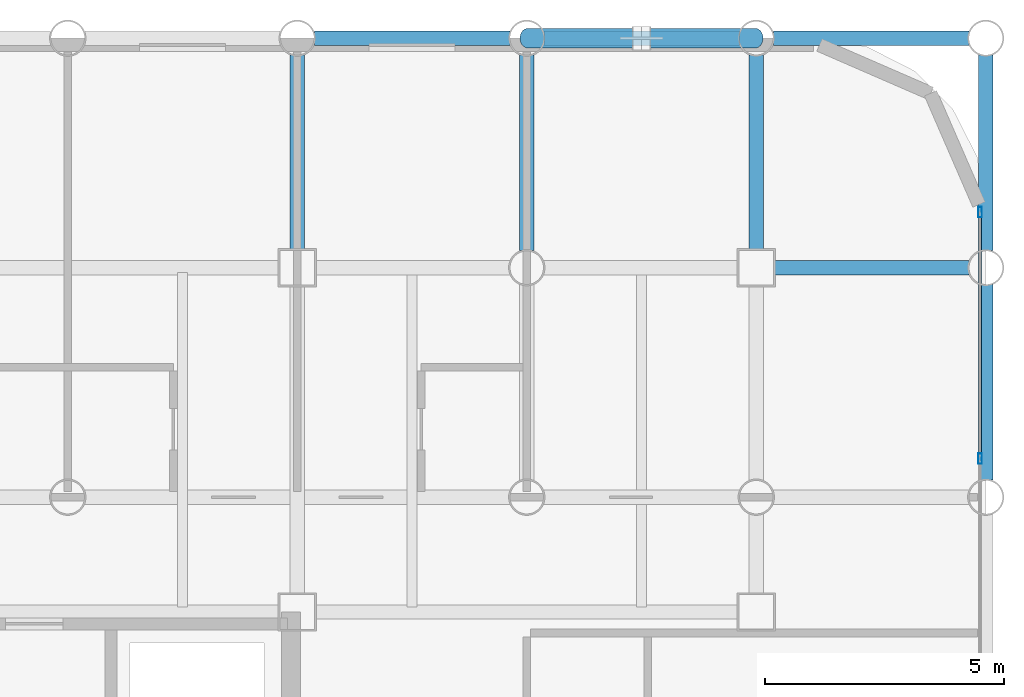
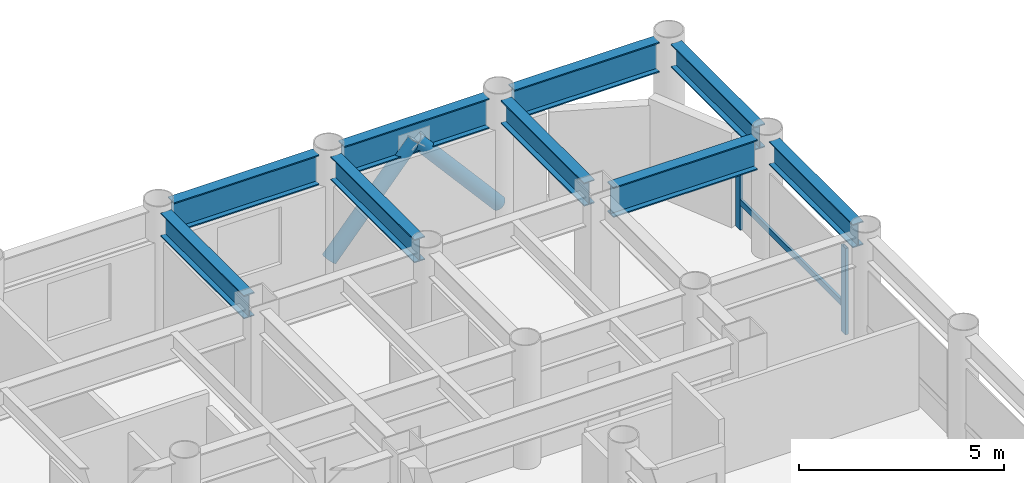
# One storey, part 14 of 22: 9 beams, 5 members, 1 element without a shape of its own.
"""IFC4 building model written with IfcOpenShell, lengths in metres."""

from ifc_helpers import new_model, si_unit, direction, frame, origin, origin_2d, place, context, subcontext, project, spatial, hollow_rectangle, hollow_circle, i_section, extrude, material, layer, layer_set, material_profile, profile_set, type_object, element, aggregate, save


model = new_model("IFC4")

# Units and contexts
model_context = context("Model", 3, precision=1e-05, world=origin(), true_north=direction((0.0, 1.0)))
body_context = subcontext(model_context, "Body", "Model", "MODEL_VIEW")
ifc_project = project(units=[si_unit("LENGTHUNIT", "METRE"), si_unit("AREAUNIT", "SQUARE_METRE"), si_unit("VOLUMEUNIT", "CUBIC_METRE"), si_unit("PLANEANGLEUNIT", "RADIAN"), si_unit("MASSUNIT", "GRAM", prefix="KILO")], contexts=[model_context])

# Site, building, storey
site_placement = place(None, origin())
site = spatial("IfcSite", under=ifc_project, at=site_placement, CompositionType="ELEMENT")
building_placement = place(site_placement, origin())
building = spatial("IfcBuilding", under=site, at=building_placement, Name="Kallvorn Hotel Tower", CompositionType="ELEMENT")
storey_placement = place(building_placement, frame((0.0, 0.0, 33.699951171875)))
storey = spatial("IfcBuildingStorey", under=building, at=storey_placement, Name="L06", CompositionType="ELEMENT", Elevation=33.699951171875)

# Beams
ifc_material_1 = material(Name="Structural steel S355JR", Category="steel")
ifc_material_profile_1 = material_profile(ifc_material_1, i_section(OverallWidth=0.300048828125, OverallDepth=0.699951171875, WebThickness=0.01708984375, FlangeThickness=0.031982421875, at=origin_2d()), Name="HE 700 B")
ifc_profile_set_1 = profile_set([ifc_material_profile_1], Name="Structural steel S355JR")
beam_type_1 = type_object("IfcBeamType", Name="BM_HE700B", PredefinedType="BEAM", material=ifc_profile_set_1)
beam_1_placement = place(storey_placement, frame((14.39990234375, 14.77490234375, 3.170166015625), z_axis=(0.0, 1.0, 0.0), x_axis=(-1.0, 0.0, 0.0)))
element("IfcBeam", 1, at=beam_1_placement, inside=storey, type_object=beam_type_1, Name="L07 Primary Y-Girder 126", PredefinedType="BEAM", context=body_context, shape_type="SweptSolid", body=[
    extrude(i_section(OverallWidth=0.300048828125, OverallDepth=0.699951171875, WebThickness=0.01708984375, FlangeThickness=0.031982421875, at=origin_2d()), origin(), (0.0, 0.0, 1.0), 4.069091796875),
])
beam_2_placement = place(storey_placement, frame((19.199951171875, 14.756103515625, 3.170166015625), z_axis=(0.0, 1.0, 0.0), x_axis=(-1.0, 0.0, 0.0)))
element("IfcBeam", 2, at=beam_2_placement, inside=storey, type_object=beam_type_1, Name="L07 Primary Y-Girder 135", PredefinedType="BEAM", context=body_context, shape_type="SweptSolid", body=[
    extrude(i_section(OverallWidth=0.300048828125, OverallDepth=0.699951171875, WebThickness=0.01708984375, FlangeThickness=0.031982421875, at=origin_2d()), origin(), (0.0, 0.0, 1.0), 4.087890625),
])
beam_3_placement = place(storey_placement, frame((24.0, 14.77490234375, 3.170166015625), z_axis=(0.0, 1.0, 0.0), x_axis=(-1.0, 0.0, 0.0)))
element("IfcBeam", 3, at=beam_3_placement, inside=storey, type_object=beam_type_1, Name="L07 Primary Y-Girder 142", PredefinedType="BEAM", context=body_context, shape_type="SweptSolid", body=[
    extrude(i_section(OverallWidth=0.300048828125, OverallDepth=0.699951171875, WebThickness=0.01708984375, FlangeThickness=0.031982421875, at=origin_2d()), origin(), (0.0, 0.0, 1.0), 4.069091796875),
])
for number, where, z_axis, x_axis, name in (
    (4, (28.800048828125, 9.9560546875, 3.170166015625), (0.0, 1.0, 0.0), (-1.0, 0.0, 0.0), "L07 Primary Y-Girder 149"),
    (5, (28.800048828125, 14.756103515625, 3.170166015625), (0.0, 1.0, 0.0), (-1.0, 0.0, 0.0), "L07 Primary Y-Girder 150"),
):
    element("IfcBeam", number, at=place(storey_placement, frame(where, z_axis=z_axis, x_axis=x_axis)), inside=storey, type_object=beam_type_1, Name=name, PredefinedType="BEAM", context=body_context, shape_type="SweptSolid", body=[
        extrude(i_section(OverallWidth=0.300048828125, OverallDepth=0.699951171875, WebThickness=0.01708984375, FlangeThickness=0.031982421875, at=origin_2d()), origin(), (0.0, 0.0, 1.0), 4.087890625),
    ])
ifc_material_2 = material(Name="Structural steel S355JR", Category="steel")
ifc_material_profile_2 = material_profile(ifc_material_2, i_section(OverallWidth=0.300048828125, OverallDepth=0.89990234375, WebThickness=0.0185546875, FlangeThickness=0.034912109375, at=origin_2d()), Name="HE 900 B")
ifc_profile_set_2 = profile_set([ifc_material_profile_2], Name="Structural steel S355JR")
beam_type_2 = type_object("IfcBeamType", Name="BM_HE900B", PredefinedType="BEAM", material=ifc_profile_set_2)
beam_4_placement = place(storey_placement, frame((24.375, 14.39990234375, 3.070068359375), z_axis=(1.0, 0.0, 0.0), x_axis=(0.0, 1.0, 0.0)))
element("IfcBeam", 6, at=beam_4_placement, inside=storey, type_object=beam_type_2, Name="L07 Primary X-Girder 60", PredefinedType="BEAM", context=body_context, shape_type="SweptSolid", body=[
    extrude(i_section(OverallWidth=0.300048828125, OverallDepth=0.89990234375, WebThickness=0.0185546875, FlangeThickness=0.034912109375, at=origin_2d()), origin(), (0.0, 0.0, 1.0), 4.069091796875),
])
beam_5_placement = place(storey_placement, frame((14.756103515625, 19.199951171875, 3.070068359375), z_axis=(1.0, 0.0, 0.0), x_axis=(0.0, 1.0, 0.0)))
element("IfcBeam", 7, at=beam_5_placement, inside=storey, type_object=beam_type_2, Name="L07 Primary X-Girder 70", PredefinedType="BEAM", context=body_context, shape_type="SweptSolid", body=[
    extrude(i_section(OverallWidth=0.300048828125, OverallDepth=0.89990234375, WebThickness=0.0185546875, FlangeThickness=0.034912109375, at=origin_2d()), origin(), (0.0, 0.0, 1.0), 4.087890625),
])
for number, where, z_axis, x_axis, name in (
    (8, (19.555908203125, 19.199951171875, 3.070068359375), (1.0, 0.0, 0.0), (0.0, 1.0, 0.0), "L07 Primary X-Girder 71"),
    (9, (24.35595703125, 19.199951171875, 3.070068359375), (1.0, 0.0, 0.0), (0.0, 1.0, 0.0), "L07 Primary X-Girder 72"),
):
    element("IfcBeam", number, at=place(storey_placement, frame(where, z_axis=z_axis, x_axis=x_axis)), inside=storey, type_object=beam_type_2, Name=name, PredefinedType="BEAM", context=body_context, shape_type="SweptSolid", body=[
        extrude(i_section(OverallWidth=0.300048828125, OverallDepth=0.89990234375, WebThickness=0.0185546875, FlangeThickness=0.034912109375, at=origin_2d()), origin(), (0.0, 0.0, 1.0), 4.088134765625),
    ])

# Curtain wall, members
ifc_material_3 = material(Name="Thermally broken black-anodised aluminium AA 6063-T6", Category="aluminium")
ifc_layer = layer(ifc_material_3, 0.199951171875)
ifc_layer_set = layer_set([ifc_layer], Name="CW_SYS_3_HOTEL_LOW")
curtain_wall_type = type_object("IfcCurtainWallType", Name="CW_SYS_3_HOTEL_LOW", PredefinedType="USERDEFINED", material=ifc_layer_set)
curtain_wall_placement = place(storey_placement, origin())
curtain_wall = element("IfcCurtainWall", 10, at=curtain_wall_placement, inside=storey, type_object=curtain_wall_type, Name="L06 Dark-Glass Curtain Wall CW-L06-EN", ObjectType="UNITISED CURTAIN WALL", PredefinedType="USERDEFINED")
ifc_material_4 = material(Name="Thermally broken black-anodised aluminium AA 6063-T6", Category="aluminium")
ifc_material_profile_3 = material_profile(ifc_material_4, hollow_rectangle(XDim=0.080078125, YDim=0.219970703125, WallThickness=0.0048828125, at=origin_2d()), Name="MUL 220x80")
ifc_profile_set_3 = profile_set([ifc_material_profile_3], Name="Thermally broken black-anodised aluminium AA 6063-T6")
member_type_1 = type_object("IfcMemberType", Name="CW_MULLION_220x80", PredefinedType="MULLION", material=ifc_profile_set_3)
member_1_placement = place(storey_placement, frame((28.679931640625, 10.40673828125, 0.02001953125), z_axis=(0.0, 0.0, 1.0), x_axis=(1.0, 0.0, 0.0)))
member_1 = element("IfcMember", 11, at=member_1_placement, type_object=member_type_1, Name="CW-L06-EN Mullion 02", PredefinedType="MULLION", context=body_context, shape_type="SweptSolid", body=[
    extrude(hollow_rectangle(XDim=0.080078125, YDim=0.219970703125, WallThickness=0.0048828125, at=origin_2d()), origin(), (0.0, 0.0, 1.0), 2.580078125),
])
member_2_placement = place(storey_placement, frame((28.679931640625, 15.56005859375, 0.02001953125), z_axis=(0.0, 0.0, 1.0), x_axis=(1.0, 0.0, 0.0)))
member_2 = element("IfcMember", 12, at=member_2_placement, type_object=member_type_1, Name="CW-L06-EN Mullion 03", PredefinedType="MULLION", context=body_context, shape_type="SweptSolid", body=[
    extrude(hollow_rectangle(XDim=0.080078125, YDim=0.219970703125, WallThickness=0.0048828125, at=origin_2d()), origin(), (0.0, 0.0, 1.0), 2.580078125),
])
ifc_material_5 = material(Name="Thermally broken black-anodised aluminium AA 6063-T6", Category="aluminium")
ifc_material_profile_4 = material_profile(ifc_material_5, hollow_rectangle(XDim=0.070068359375, YDim=0.179931640625, WallThickness=0.00390625, at=origin_2d()), Name="TRN 180x70")
ifc_profile_set_4 = profile_set([ifc_material_profile_4], Name="Thermally broken black-anodised aluminium AA 6063-T6")
member_type_2 = type_object("IfcMemberType", Name="CW_TRANSOM_180x70", PredefinedType="USERDEFINED", material=ifc_profile_set_4)
member_3_placement = place(storey_placement, frame((28.679931640625, 10.44677734375, 0.85009765625), z_axis=(0.0, 1.0, 0.0), x_axis=(-1.0, 0.0, 0.0)))
member_3 = element("IfcMember", 13, at=member_3_placement, type_object=member_type_2, Name="CW-L06-EN Transom 02M", ObjectType="TRANSOM", PredefinedType="USERDEFINED", context=body_context, shape_type="SweptSolid", body=[
    extrude(hollow_rectangle(XDim=0.070068359375, YDim=0.179931640625, WallThickness=0.00390625, at=origin_2d()), origin(), (0.0, 0.0, 1.0), 5.11328125),
])
aggregate(curtain_wall, [member_1, member_2, member_3])

# Members
ifc_material_6 = material(Name="Structural steel S355J2H", Category="steel")
ifc_material_profile_5 = material_profile(ifc_material_6, hollow_circle(Radius=0.203125, WallThickness=0.01611328125, at=origin_2d()), Name="CHS 406.4x16")
ifc_profile_set_5 = profile_set([ifc_material_profile_5], Name="Structural steel S355J2H")
member_type_3 = type_object("IfcMemberType", Name="MBR_EXO_CHS406", PredefinedType="BRACE", material=ifc_profile_set_5)
for number, where, z_axis, x_axis, name in (
    (14, (19.213134765625, 19.199951171875, 0.195068359375), (0.653427382465, 0.0, 0.756989204576), (0.0, 1.0, 0.0), "L06 Exoskeleton K-Brace N2A"),
    (15, (23.98681640625, 19.199951171875, 0.195068359375), (-0.653427382465, 0.0, 0.756989204576), (0.0, -1.0, 0.0), "L06 Exoskeleton K-Brace N2B"),
):
    element("IfcMember", number, at=place(storey_placement, frame(where, z_axis=z_axis, x_axis=x_axis)), inside=storey, type_object=member_type_3, Name=name, PredefinedType="BRACE", context=body_context, shape_type="SweptSolid", body=[
        extrude(hollow_circle(Radius=0.203125, WallThickness=0.01611328125, at=origin_2d()), origin(), (0.0, 0.0, 1.0), 3.6328125),
    ])

save(model, "model.ifc")
